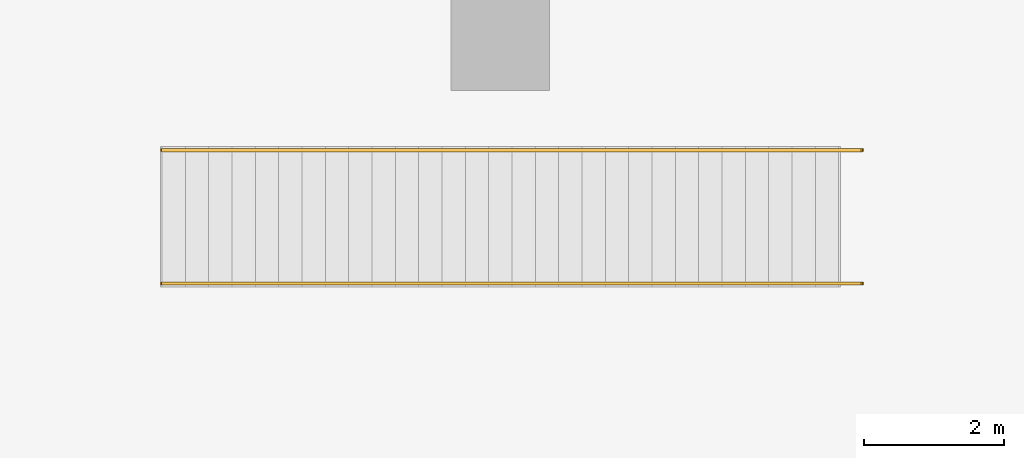
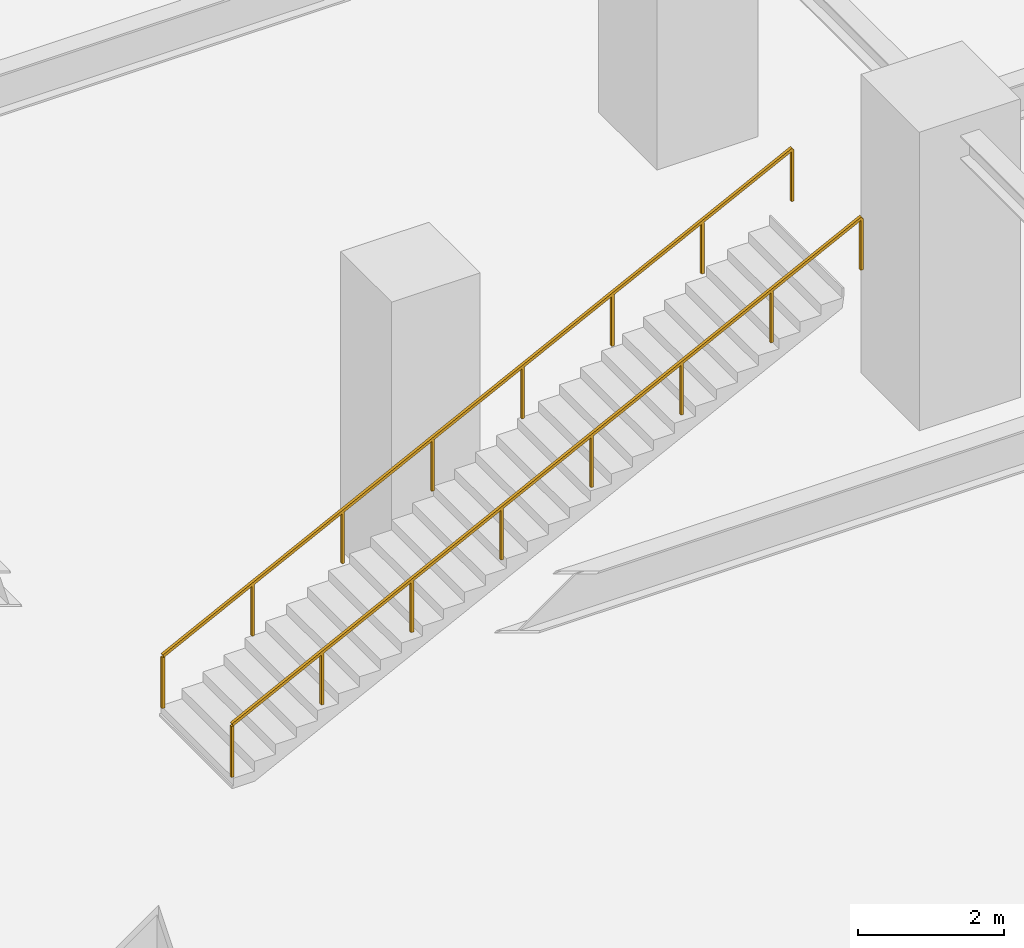
# One storey, part 13 of 18: 2 railings.
"""IFC4 building model written with IfcOpenShell, lengths in metres."""

import ifcopenshell
import ifcopenshell.guid

model = None  # the IFC model being written
_history = None  # IfcOwnerHistory: only IFC2X3 demands one
_inside = {}  # id of a spatial element -> (the spatial element, [elements in it])
_under = {}  # id of a project, library or spatial element -> (it, [spatial elements below it])
_declared = {}  # id of a project -> (the project, [libraries it declares])
_typed = {}  # id of a type object -> (the type object, [elements of that type])
_made_of = {}  # id of a material, layer set ... -> (it, [elements and type objects made of it])


def new_model(schema):
    """Start an empty IFC model of exactly this schema.

    Asked for "IFC4X3", IfcOpenShell would pick the latest addendum, in which some entities
    have other attributes; the version numbers below select the first issue.
    IFC2X3 requires an IfcOwnerHistory on every rooted entity: one is made here for all.
    """
    global model, _history
    if schema == "IFC4X3":
        model = ifcopenshell.file(schema_version=(4, 3, 0, 0))
    else:
        model = ifcopenshell.file(schema=schema)
    _inside.clear()
    _under.clear()
    _declared.clear()
    _typed.clear()
    _made_of.clear()
    _history = None
    if model.schema == "IFC2X3":
        org = make("IfcOrganization", Name="unknown")
        user = make(
            "IfcPersonAndOrganization",
            ThePerson=make("IfcPerson", FamilyName="unknown"),
            TheOrganization=org,
        )
        app = make(
            "IfcApplication",
            ApplicationDeveloper=org,
            Version="unknown",
            ApplicationFullName="unknown",
            ApplicationIdentifier="unknown",
        )
        _history = make(
            "IfcOwnerHistory",
            OwningUser=user,
            OwningApplication=app,
            ChangeAction="ADDED",
            CreationDate=0,
        )
    return model


def make(cls, **values):
    """One entity of the class cls with the attributes given. An attribute that is None is left unset."""
    return model.create_entity(
        cls, **{name: value for name, value in values.items() if value is not None}
    )


def rooted(cls, **values):
    """An entity with a GlobalId (a new one), such as an element, a storey or a relation."""
    return make(cls, GlobalId=ifcopenshell.guid.new(), OwnerHistory=_history, **values)


def si_unit(unit_type, name, prefix=None):
    """IfcSIUnit, for example si_unit("LENGTHUNIT", "METRE", prefix="MILLI")."""
    return make("IfcSIUnit", UnitType=unit_type, Prefix=prefix, Name=name)


def assignment(units):
    """IfcUnitAssignment: the units of a project."""
    return None if units is None else make("IfcUnitAssignment", Units=units)


def point(xyz):
    """IfcCartesianPoint."""
    return None if xyz is None else make("IfcCartesianPoint", Coordinates=xyz)


def direction(xyz):
    """IfcDirection."""
    return None if xyz is None else make("IfcDirection", DirectionRatios=xyz)


def frame(location, z_axis=None, x_axis=None):
    """IfcAxis2Placement3D, a coordinate frame: its origin and axes. An axis left out is left unset."""
    return make(
        "IfcAxis2Placement3D",
        Location=point(location),
        Axis=direction(z_axis),
        RefDirection=direction(x_axis),
    )


def frame_2d(location, x_axis=None):
    """IfcAxis2Placement2D, a coordinate frame in the plane: its origin and x axis."""
    return make(
        "IfcAxis2Placement2D", Location=point(location), RefDirection=direction(x_axis)
    )


def origin():
    """The frame at (0, 0, 0) with its axes left unset."""
    return frame((0.0, 0.0, 0.0))


def origin_2d():
    """The frame at (0, 0) in the plane with its x axis left unset."""
    return frame_2d((0.0, 0.0))


def place(relative_to, where):
    """IfcLocalPlacement: puts the frame where relative to a parent placement (None: the world)."""
    return make(
        "IfcLocalPlacement", PlacementRelTo=relative_to, RelativePlacement=where
    )


def context(
    kind, dimensions, precision=None, world=None, true_north=None, identifier=None
):
    """IfcGeometricRepresentationContext, for example the 3D "Model" context."""
    return make(
        "IfcGeometricRepresentationContext",
        ContextIdentifier=identifier,
        ContextType=kind,
        CoordinateSpaceDimension=dimensions,
        Precision=precision,
        WorldCoordinateSystem=world,
        TrueNorth=true_north,
    )


def subcontext(parent, identifier, kind, view, scale=None):
    """IfcGeometricRepresentationSubContext, for example "Body" below "Model"."""
    return make(
        "IfcGeometricRepresentationSubContext",
        ContextIdentifier=identifier,
        ContextType=kind,
        ParentContext=parent,
        TargetScale=scale,
        TargetView=view,
    )


def project(units=None, contexts=None):
    """IfcProject with its units and contexts."""
    return rooted(
        "IfcProject",
        Name="project",
        RepresentationContexts=contexts,
        UnitsInContext=assignment(units),
    )


def spatial(cls, under=None, at=None, **own):
    """A site, building, storey or space (cls), placed at a placement, below another one or the project."""
    s = rooted(cls, ObjectPlacement=at, **own)
    if under is not None:
        _under.setdefault(under.id(), (under, []))[1].append(s)
    return s


def profile(cls, at=None, kind="AREA", **sizes):
    """A parametric profile (cls). Its sizes go by their IFC names, for example OverallWidth=200.0."""
    return make(cls, ProfileType=kind, Position=at, **sizes)


def rectangle(**sizes):
    """IfcRectangleProfileDef."""
    return profile("IfcRectangleProfileDef", **sizes)


def extrude(swept, where, along, depth):
    """IfcExtrudedAreaSolid: the profile swept, set in the frame where, extruded along a direction by depth."""
    return make(
        "IfcExtrudedAreaSolid",
        SweptArea=swept,
        Position=where,
        ExtrudedDirection=direction(along),
        Depth=depth,
    )


def shape(context_of_items, identifier, shape_type, items):
    """IfcShapeRepresentation: the items that make up one representation, for example the "Body"."""
    return make(
        "IfcShapeRepresentation",
        ContextOfItems=context_of_items,
        RepresentationIdentifier=identifier,
        RepresentationType=shape_type,
        Items=items,
    )


def material(Name=None, Category=None):
    """IfcMaterial."""
    return make("IfcMaterial", Name=Name, Category=Category)


def made_of(thing, what):
    """Note that an element or type object is made of a material, layer set ...; save() writes the relation."""
    if what is not None:
        _made_of.setdefault(what.id(), (what, []))[1].append(thing)
    return thing


def type_object(cls, material=None, **own):
    """A type object (cls), such as IfcWallType, which elements share."""
    return made_of(rooted(cls, **own), material)


def element(
    cls,
    number,
    at=None,
    inside=None,
    cuts=None,
    type_object=None,
    material=None,
    context=None,
    identifier="Body",
    shape_type=None,
    held_by="IfcProductDefinitionShape",
    body=None,
    shapes=None,
    **own,
):
    """One element of the class cls, such as IfcWall. Its Tag is "e" and its number.

    at: its placement. inside: the storey or other place that contains it. cuts: it is an
    opening in that element (IfcRelVoidsElement). A single representation is given by context,
    identifier, shape_type and body (its items); several are given by shapes. held_by: the class
    of the entity that holds the representations. save() writes the other relations.
    """
    e = rooted(cls, Tag="e%d" % number, ObjectPlacement=at, **own)
    if body is not None:
        shapes = [shape(context, identifier, shape_type, body)]
    if shapes is not None:
        e.Representation = make(held_by, Representations=shapes)
    if inside is not None:
        _inside.setdefault(inside.id(), (inside, []))[1].append(e)
    if cuts is not None:
        rooted(
            "IfcRelVoidsElement", RelatingBuildingElement=cuts, RelatedOpeningElement=e
        )
    if type_object is not None:
        _typed.setdefault(type_object.id(), (type_object, []))[1].append(e)
    return made_of(e, material)


def aggregate(whole, parts):
    """IfcRelAggregates: a whole, such as a stair, and the parts it consists of."""
    return rooted("IfcRelAggregates", RelatingObject=whole, RelatedObjects=parts)


def save(model, path):
    """Write the relations noted so far, then the file.

    IfcRelAggregates (storeys below a building ...), IfcRelContainedInSpatialStructure (elements
    in a storey), IfcRelDefinesByType, IfcRelAssociatesMaterial and IfcRelDeclares: one each for
    every whole, place, type object, material and project.
    """
    for whole, parts in _under.values():
        aggregate(whole, parts)
    for where, things in _inside.values():
        rooted(
            "IfcRelContainedInSpatialStructure",
            RelatedElements=things,
            RelatingStructure=where,
        )
    for kind, things in _typed.values():
        rooted("IfcRelDefinesByType", RelatedObjects=things, RelatingType=kind)
    for what, things in _made_of.values():
        rooted("IfcRelAssociatesMaterial", RelatedObjects=things, RelatingMaterial=what)
    for by, libraries in _declared.values():
        rooted("IfcRelDeclares", RelatingContext=by, RelatedDefinitions=libraries)
    model.write(path)


model = new_model("IFC4")

# Units and contexts
model_context = context("Model", 3, precision=1e-05, world=origin(), true_north=direction((0.0, 1.0)))
body_context = subcontext(model_context, "Body", "Model", "MODEL_VIEW")
ifc_project = project(units=[si_unit("LENGTHUNIT", "METRE"), si_unit("AREAUNIT", "SQUARE_METRE"), si_unit("VOLUMEUNIT", "CUBIC_METRE"), si_unit("PLANEANGLEUNIT", "RADIAN"), si_unit("MASSUNIT", "GRAM", prefix="KILO")], contexts=[model_context])

# Site, building, storey
site_placement = place(None, origin())
site = spatial("IfcSite", under=ifc_project, at=site_placement, CompositionType="ELEMENT")
building_placement = place(site_placement, origin())
building = spatial("IfcBuilding", under=site, at=building_placement, Name="Sumidabori Civic Tower", CompositionType="ELEMENT")
storey_placement = place(building_placement, origin())
storey = spatial("IfcBuildingStorey", under=building, at=storey_placement, Name="L00", CompositionType="ELEMENT", Elevation=0.0)

# Railings
ifc_material = material(Name="Stainless Steel Hairline Finish", Category="steel")
railing_type = type_object("IfcRailingType", Name="RL-HANDRAIL", PredefinedType="HANDRAIL", material=ifc_material)
for number, where, name in (
    (1, (-4.820068359375, -21.449951171875, 0.166748046875), "Stair Handrail ST:L00:ATR-1-L"),
    (2, (-4.820068359375, -19.550048828125, 0.166748046875), "Stair Handrail ST:L00:ATR-1-R"),
):
    element("IfcRailing", number, at=place(storey_placement, frame(where)), inside=storey, type_object=railing_type, Name=name, PredefinedType="HANDRAIL", context=body_context, shape_type="SweptSolid", body=[
        extrude(rectangle(XDim=0.048095703125, YDim=0.048095703125, at=origin_2d()), frame((0.0, 0.0, 0.8759765625), z_axis=(0.893844352448, 0.0, 0.448377378551), x_axis=(0.0, 1.0, 0.0)), (0.0, 0.0, 1.0), 11.15673828125),
        extrude(rectangle(XDim=0.0419921875, YDim=0.0419921875, at=origin_2d()), origin(), (0.0, 0.0, 1.0), 0.851806640625),
        extrude(rectangle(XDim=0.0419921875, YDim=0.0419921875, at=origin_2d()), frame((1.424560546875, 0.0, 0.714599609375)), (0.0, 0.0, 1.0), 0.851806640625),
        extrude(rectangle(XDim=0.0419921875, YDim=0.0419921875, at=origin_2d()), frame((2.849365234375, 0.0, 1.42919921875)), (0.0, 0.0, 1.0), 0.851806640625),
        extrude(rectangle(XDim=0.0419921875, YDim=0.0419921875, at=origin_2d()), frame((4.27392578125, 0.0, 2.143798828125)), (0.0, 0.0, 1.0), 0.851806640625),
        extrude(rectangle(XDim=0.0419921875, YDim=0.0419921875, at=origin_2d()), frame((5.698486328125, 0.0, 2.858642578125)), (0.0, 0.0, 1.0), 0.851806640625),
        extrude(rectangle(XDim=0.0419921875, YDim=0.0419921875, at=origin_2d()), frame((7.123046875, 0.0, 3.5732421875)), (0.0, 0.0, 1.0), 0.851806640625),
        extrude(rectangle(XDim=0.0419921875, YDim=0.0419921875, at=origin_2d()), frame((8.5478515625, 0.0, 4.287841796875)), (0.0, 0.0, 1.0), 0.851806640625),
        extrude(rectangle(XDim=0.0419921875, YDim=0.0419921875, at=origin_2d()), frame((9.972412109375, 0.0, 5.00244140625)), (0.0, 0.0, 1.0), 0.851806640625),
    ])

save(model, "model.ifc")
